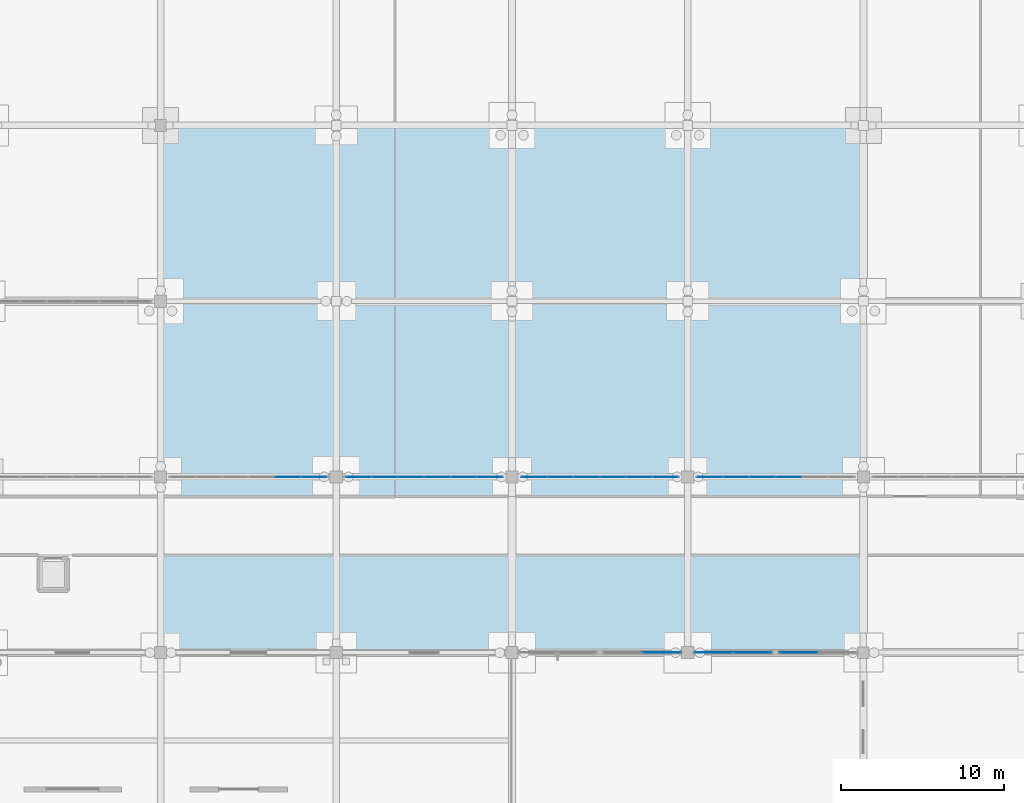
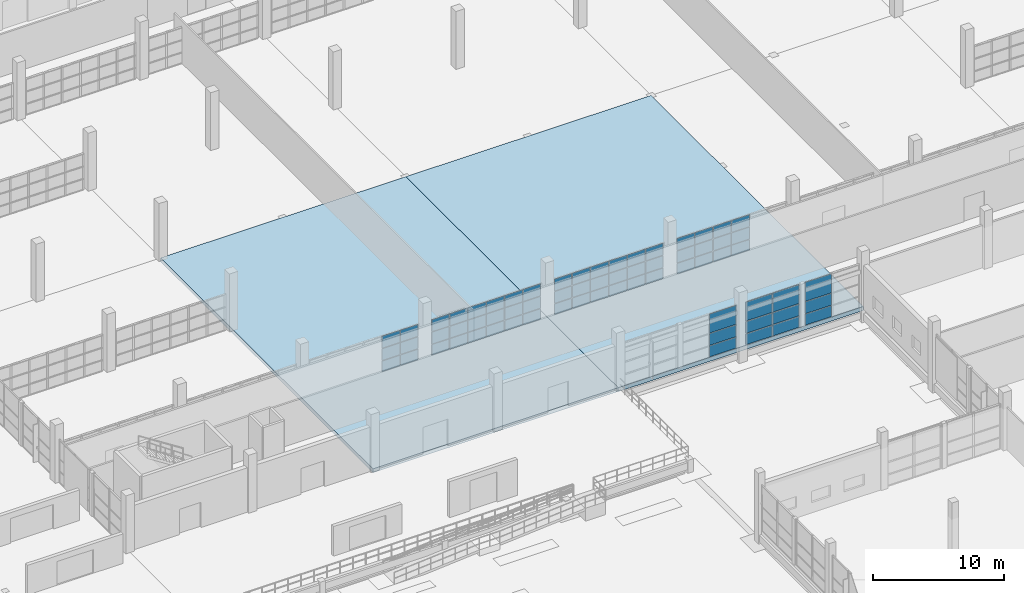
# One storey, part 86 of 138: 66 plates, 2 slabs, 7 elements without a shape of their own.
"""IFC4 building model written with IfcOpenShell, lengths in metres."""

from ifc_helpers import new_model, si_unit, direction, frame, origin, origin_2d, place, context, subcontext, project, spatial, polyline, rectangle, outline, extrude, material, layer, layer_set, type_object, element, aggregate, save


model = new_model("IFC4")

# Units and contexts
model_context = context("Model", 3, precision=1e-05, world=origin(), true_north=direction((0.0, 1.0)))
body_context = subcontext(model_context, "Body", "Model", "MODEL_VIEW")
ifc_project = project(units=[si_unit("LENGTHUNIT", "METRE"), si_unit("AREAUNIT", "SQUARE_METRE"), si_unit("VOLUMEUNIT", "CUBIC_METRE"), si_unit("PLANEANGLEUNIT", "RADIAN"), si_unit("MASSUNIT", "GRAM", prefix="KILO")], contexts=[model_context])

# Site, building, storey
site_placement = place(None, origin())
site = spatial("IfcSite", under=ifc_project, at=site_placement, CompositionType="ELEMENT")
building_placement = place(site_placement, origin())
building = spatial("IfcBuilding", under=site, at=building_placement, Name="Zwinboog Wholesale Market", CompositionType="ELEMENT")
storey_placement = place(building_placement, origin())
storey = spatial("IfcBuildingStorey", under=building, at=storey_placement, Name="L00", CompositionType="ELEMENT", Elevation=0.0)

# Slabs
ifc_material_1 = material(Name="Precast concrete C45/55", Category="concrete")
ifc_layer_1 = layer(ifc_material_1, 0.35595703125)
ifc_layer_set_1 = layer_set([ifc_layer_1], Name="Precast concrete C45/55")
slab_type_1 = type_object("IfcSlabType", Name="SLT-BS-320", PredefinedType="BASESLAB", material=ifc_layer_set_1)
slab_1_placement = place(storey_placement, frame((0.0, 0.0, -0.35595703125)))
element("IfcSlab", 1, at=slab_1_placement, inside=storey, type_object=slab_type_1, Name="SB-356 (SLB-L00-008)", PredefinedType="BASESLAB", context=body_context, shape_type="SweptSolid", body=[
    extrude(outline(polyline([(86.39990234375, 43.199951171875), (108.0, 43.199951171875), (108.0, 75.60009765625), (86.39990234375, 75.60009765625), (86.39990234375, 43.199951171875)])), origin(), (0.0, 0.0, 1.0), 0.35595703125),
])
ifc_layer_2 = layer(ifc_material_1, 0.3798828125)
ifc_layer_set_2 = layer_set([ifc_layer_2], Name="Precast concrete C45/55")
slab_type_2 = type_object("IfcSlabType", Name="SLT-BS-380", PredefinedType="BASESLAB", material=ifc_layer_set_2)
slab_2_placement = place(storey_placement, frame((0.0, 0.0, -0.3798828125)))
element("IfcSlab", 2, at=slab_2_placement, inside=storey, type_object=slab_type_2, Name="SB-380 (SLB-L00-010)", PredefinedType="BASESLAB", context=body_context, shape_type="SweptSolid", body=[
    extrude(outline(polyline([(108.0, 43.199951171875), (129.60009765625, 43.199951171875), (129.60009765625, 75.60009765625), (108.0, 75.60009765625), (108.0, 43.199951171875)])), origin(), (0.0, 0.0, 1.0), 0.3798828125),
])

# Curtain wall, plates
ifc_material_2 = material(Name="Aluminium thermally broken curtain wall", Category="aluminium")
curtain_wall_type_1 = type_object("IfcCurtainWallType", Name="CWT-GAL-16", PredefinedType="USERDEFINED", material=ifc_material_2)
curtain_wall_1_placement = place(storey_placement, origin())
curtain_wall_1 = element("IfcCurtainWall", 3, at=curtain_wall_1_placement, inside=storey, type_object=curtain_wall_type_1, Name="CW-04 (CW-L00-040)", ObjectType="UNITIZED_CURTAIN_WALL", PredefinedType="USERDEFINED")
ifc_material_3 = material(Name="Triple solar-control insulated glazing", Category="glass")
ifc_layer_3 = layer(ifc_material_3, 0.0380859375)
ifc_layer_set_3 = layer_set([ifc_layer_3], Name="Triple solar-control insulated glazing")
plate_type_1 = type_object("IfcPlateType", Name="CWP-IGU-38", PredefinedType="CURTAIN_PANEL", material=ifc_layer_set_3)
plate_1_placement = place(storey_placement, frame((117.20751953125, 43.199951171875, 0.06005859375), z_axis=(0.0, 0.0, 1.0), x_axis=(1.0, 0.0, 0.0)))
plate_1 = element("IfcPlate", 4, at=plate_1_placement, type_object=plate_type_1, Name="CW-04 panel 2.1", PredefinedType="CURTAIN_PANEL", context=body_context, shape_type="SweptSolid", body=[
    extrude(rectangle(XDim=2.324951171875, YDim=0.0380859375, at=origin_2d()), origin(), (0.0, 0.0, 1.0), 1.010009765625),
])
plate_2_placement = place(storey_placement, frame((117.20751953125, 43.199951171875, 1.1298828125), z_axis=(0.0, 0.0, 1.0), x_axis=(1.0, 0.0, 0.0)))
plate_2 = element("IfcPlate", 5, at=plate_2_placement, type_object=plate_type_1, Name="CW-04 panel 2.2", PredefinedType="CURTAIN_PANEL", context=body_context, shape_type="SweptSolid", body=[
    extrude(rectangle(XDim=2.324951171875, YDim=0.0380859375, at=origin_2d()), origin(), (0.0, 0.0, 1.0), 1.090087890625),
])
plate_3_placement = place(storey_placement, frame((117.20751953125, 43.199951171875, 2.27978515625), z_axis=(0.0, 0.0, 1.0), x_axis=(1.0, 0.0, 0.0)))
plate_3 = element("IfcPlate", 6, at=plate_3_placement, type_object=plate_type_1, Name="CW-04 panel 2.3", PredefinedType="CURTAIN_PANEL", context=body_context, shape_type="SweptSolid", body=[
    extrude(rectangle(XDim=2.324951171875, YDim=0.0380859375, at=origin_2d()), origin(), (0.0, 0.0, 1.0), 1.758056640625),
])
aggregate(curtain_wall_1, [plate_1, plate_2, plate_3])

curtain_wall_type_2 = type_object("IfcCurtainWallType", Name="CWT-STALL-18", PredefinedType="USERDEFINED", material=ifc_material_2)
curtain_wall_2_placement = place(storey_placement, origin())
curtain_wall_2 = element("IfcCurtainWall", 7, at=curtain_wall_2_placement, inside=storey, type_object=curtain_wall_type_2, Name="CW-01 (CW-L00-043)", ObjectType="STOREFRONT_GLAZING", PredefinedType="USERDEFINED")
plate_4_placement = place(storey_placement, frame((120.393798828125, 43.199951171875, 0.06494140625), z_axis=(0.0, 0.0, 1.0), x_axis=(1.0, 0.0, 0.0)))
plate_4 = element("IfcPlate", 8, at=plate_4_placement, type_object=plate_type_1, Name="CW-01 panel 1.1", PredefinedType="CURTAIN_PANEL", context=body_context, shape_type="SweptSolid", body=[
    extrude(rectangle(XDim=2.3173828125, YDim=0.0380859375, at=origin_2d()), origin(), (0.0, 0.0, 1.0), 1.00244140625),
])
plate_5_placement = place(storey_placement, frame((120.393798828125, 43.199951171875, 1.132568359375), z_axis=(0.0, 0.0, 1.0), x_axis=(1.0, 0.0, 0.0)))
plate_5 = element("IfcPlate", 9, at=plate_5_placement, type_object=plate_type_1, Name="CW-01 panel 1.2", PredefinedType="CURTAIN_PANEL", context=body_context, shape_type="SweptSolid", body=[
    extrude(rectangle(XDim=2.3173828125, YDim=0.0380859375, at=origin_2d()), origin(), (0.0, 0.0, 1.0), 1.0849609375),
])
plate_6_placement = place(storey_placement, frame((120.393798828125, 43.199951171875, 2.282470703125), z_axis=(0.0, 0.0, 1.0), x_axis=(1.0, 0.0, 0.0)))
plate_6 = element("IfcPlate", 10, at=plate_6_placement, type_object=plate_type_1, Name="CW-01 panel 1.3", PredefinedType="CURTAIN_PANEL", context=body_context, shape_type="SweptSolid", body=[
    extrude(rectangle(XDim=2.3173828125, YDim=0.0380859375, at=origin_2d()), origin(), (0.0, 0.0, 1.0), 1.75048828125),
])
plate_7_placement = place(storey_placement, frame((122.7763671875, 43.199951171875, 0.06494140625), z_axis=(0.0, 0.0, 1.0), x_axis=(1.0, 0.0, 0.0)))
plate_7 = element("IfcPlate", 11, at=plate_7_placement, type_object=plate_type_1, Name="CW-01 panel 2.1", PredefinedType="CURTAIN_PANEL", context=body_context, shape_type="SweptSolid", body=[
    extrude(rectangle(XDim=2.3173828125, YDim=0.0380859375, at=origin_2d()), origin(), (0.0, 0.0, 1.0), 1.00244140625),
])
plate_8_placement = place(storey_placement, frame((122.7763671875, 43.199951171875, 1.132568359375), z_axis=(0.0, 0.0, 1.0), x_axis=(1.0, 0.0, 0.0)))
plate_8 = element("IfcPlate", 12, at=plate_8_placement, type_object=plate_type_1, Name="CW-01 panel 2.2", PredefinedType="CURTAIN_PANEL", context=body_context, shape_type="SweptSolid", body=[
    extrude(rectangle(XDim=2.3173828125, YDim=0.0380859375, at=origin_2d()), origin(), (0.0, 0.0, 1.0), 1.0849609375),
])
plate_9_placement = place(storey_placement, frame((122.7763671875, 43.199951171875, 2.282470703125), z_axis=(0.0, 0.0, 1.0), x_axis=(1.0, 0.0, 0.0)))
plate_9 = element("IfcPlate", 13, at=plate_9_placement, type_object=plate_type_1, Name="CW-01 panel 2.3", PredefinedType="CURTAIN_PANEL", context=body_context, shape_type="SweptSolid", body=[
    extrude(rectangle(XDim=2.3173828125, YDim=0.0380859375, at=origin_2d()), origin(), (0.0, 0.0, 1.0), 1.75048828125),
])
aggregate(curtain_wall_2, [plate_4, plate_5, plate_6, plate_7, plate_8, plate_9])

curtain_wall_type_3 = type_object("IfcCurtainWallType", Name="CWT-STALL-20", PredefinedType="USERDEFINED", material=ifc_material_2)
curtain_wall_3_placement = place(storey_placement, origin())
curtain_wall_3 = element("IfcCurtainWall", 14, at=curtain_wall_3_placement, inside=storey, type_object=curtain_wall_type_3, Name="CW-02 (CW-L00-044)", ObjectType="STOREFRONT_GLAZING", PredefinedType="USERDEFINED")
plate_10_placement = place(storey_placement, frame((125.628662109375, 43.199951171875, 0.06005859375), z_axis=(0.0, 0.0, 1.0), x_axis=(1.0, 0.0, 0.0)))
plate_10 = element("IfcPlate", 15, at=plate_10_placement, type_object=plate_type_1, Name="CW-02 panel 1.1", PredefinedType="CURTAIN_PANEL", context=body_context, shape_type="SweptSolid", body=[
    extrude(rectangle(XDim=2.33740234375, YDim=0.0380859375, at=origin_2d()), origin(), (0.0, 0.0, 1.0), 1.010009765625),
])
plate_11_placement = place(storey_placement, frame((125.628662109375, 43.199951171875, 1.1298828125), z_axis=(0.0, 0.0, 1.0), x_axis=(1.0, 0.0, 0.0)))
plate_11 = element("IfcPlate", 16, at=plate_11_placement, type_object=plate_type_1, Name="CW-02 panel 1.2", PredefinedType="CURTAIN_PANEL", context=body_context, shape_type="SweptSolid", body=[
    extrude(rectangle(XDim=2.33740234375, YDim=0.0380859375, at=origin_2d()), origin(), (0.0, 0.0, 1.0), 1.090087890625),
])
plate_12_placement = place(storey_placement, frame((125.628662109375, 43.199951171875, 2.27978515625), z_axis=(0.0, 0.0, 1.0), x_axis=(1.0, 0.0, 0.0)))
plate_12 = element("IfcPlate", 17, at=plate_12_placement, type_object=plate_type_1, Name="CW-02 panel 1.3", PredefinedType="CURTAIN_PANEL", context=body_context, shape_type="SweptSolid", body=[
    extrude(rectangle(XDim=2.33740234375, YDim=0.0380859375, at=origin_2d()), origin(), (0.0, 0.0, 1.0), 1.758056640625),
])
aggregate(curtain_wall_3, [plate_10, plate_11, plate_12])

curtain_wall_type_4 = type_object("IfcCurtainWallType", Name="CWT-INT-STALL", PredefinedType="USERDEFINED", material=ifc_material_2)
curtain_wall_4_placement = place(storey_placement, origin())
curtain_wall_4 = element("IfcCurtainWall", 18, at=curtain_wall_4_placement, inside=storey, type_object=curtain_wall_type_4, Name="CW-07 (CW-STL-183)", ObjectType="STOREFRONT_GLAZING", PredefinedType="USERDEFINED")
ifc_material_4 = material(Name="Tempered laminated market stall glazing", Category="glass")
ifc_layer_4 = layer(ifc_material_4, 0.01611328125)
ifc_layer_set_4 = layer_set([ifc_layer_4], Name="Tempered laminated market stall glazing")
plate_type_2 = type_object("IfcPlateType", Name="CWP-INT-16", PredefinedType="CURTAIN_PANEL", material=ifc_layer_set_4)
plate_13_placement = place(storey_placement, frame((94.22509765625, 54.0, 0.06005859375), z_axis=(0.0, 0.0, 1.0), x_axis=(1.0, 0.0, 0.0)))
plate_13 = element("IfcPlate", 19, at=plate_13_placement, type_object=plate_type_2, Name="CW-07 panel 5.1", PredefinedType="CURTAIN_PANEL", context=body_context, shape_type="SweptSolid", body=[
    extrude(rectangle(XDim=1.556640625, YDim=0.01611328125, at=origin_2d()), origin(), (0.0, 0.0, 1.0), 0.9599609375),
])
plate_14_placement = place(storey_placement, frame((94.22509765625, 54.0, 1.080078125), z_axis=(0.0, 0.0, 1.0), x_axis=(1.0, 0.0, 0.0)))
plate_14 = element("IfcPlate", 20, at=plate_14_placement, type_object=plate_type_2, Name="CW-07 panel 5.2", PredefinedType="CURTAIN_PANEL", context=body_context, shape_type="SweptSolid", body=[
    extrude(rectangle(XDim=1.556640625, YDim=0.01611328125, at=origin_2d()), origin(), (0.0, 0.0, 1.0), 1.090087890625),
])
plate_15_placement = place(storey_placement, frame((94.22509765625, 54.0, 2.22998046875), z_axis=(0.0, 0.0, 1.0), x_axis=(1.0, 0.0, 0.0)))
plate_15 = element("IfcPlate", 21, at=plate_15_placement, type_object=plate_type_2, Name="CW-07 panel 5.3", PredefinedType="CURTAIN_PANEL", context=body_context, shape_type="SweptSolid", body=[
    extrude(rectangle(XDim=1.556640625, YDim=0.01611328125, at=origin_2d()), origin(), (0.0, 0.0, 1.0), 1.110107421875),
])
plate_16_placement = place(storey_placement, frame((95.82666015625, 54.0, 0.06005859375), z_axis=(0.0, 0.0, 1.0), x_axis=(1.0, 0.0, 0.0)))
plate_16 = element("IfcPlate", 22, at=plate_16_placement, type_object=plate_type_2, Name="CW-07 panel 6.1", PredefinedType="CURTAIN_PANEL", context=body_context, shape_type="SweptSolid", body=[
    extrude(rectangle(XDim=1.526611328125, YDim=0.01611328125, at=origin_2d()), origin(), (0.0, 0.0, 1.0), 0.9599609375),
])
plate_17_placement = place(storey_placement, frame((95.82666015625, 54.0, 1.080078125), z_axis=(0.0, 0.0, 1.0), x_axis=(1.0, 0.0, 0.0)))
plate_17 = element("IfcPlate", 23, at=plate_17_placement, type_object=plate_type_2, Name="CW-07 panel 6.2", PredefinedType="CURTAIN_PANEL", context=body_context, shape_type="SweptSolid", body=[
    extrude(rectangle(XDim=1.526611328125, YDim=0.01611328125, at=origin_2d()), origin(), (0.0, 0.0, 1.0), 1.090087890625),
])
plate_18_placement = place(storey_placement, frame((95.82666015625, 54.0, 2.22998046875), z_axis=(0.0, 0.0, 1.0), x_axis=(1.0, 0.0, 0.0)))
plate_18 = element("IfcPlate", 24, at=plate_18_placement, type_object=plate_type_2, Name="CW-07 panel 6.3", PredefinedType="CURTAIN_PANEL", context=body_context, shape_type="SweptSolid", body=[
    extrude(rectangle(XDim=1.526611328125, YDim=0.01611328125, at=origin_2d()), origin(), (0.0, 0.0, 1.0), 1.110107421875),
])
aggregate(curtain_wall_4, [plate_13, plate_14, plate_15, plate_16, plate_17, plate_18])

curtain_wall_5_placement = place(storey_placement, origin())
curtain_wall_5 = element("IfcCurtainWall", 25, at=curtain_wall_5_placement, inside=storey, type_object=curtain_wall_type_4, Name="CW-07 (CW-STL-184)", ObjectType="STOREFRONT_GLAZING", PredefinedType="USERDEFINED")
plate_19_placement = place(storey_placement, frame((98.5732421875, 54.0, 0.06005859375), z_axis=(0.0, 0.0, 1.0), x_axis=(1.0, 0.0, 0.0)))
plate_19 = element("IfcPlate", 26, at=plate_19_placement, type_object=plate_type_2, Name="CW-07 panel 1.1", PredefinedType="CURTAIN_PANEL", context=body_context, shape_type="SweptSolid", body=[
    extrude(rectangle(XDim=1.526611328125, YDim=0.01611328125, at=origin_2d()), origin(), (0.0, 0.0, 1.0), 0.9599609375),
])
plate_20_placement = place(storey_placement, frame((98.5732421875, 54.0, 1.080078125), z_axis=(0.0, 0.0, 1.0), x_axis=(1.0, 0.0, 0.0)))
plate_20 = element("IfcPlate", 27, at=plate_20_placement, type_object=plate_type_2, Name="CW-07 panel 1.2", PredefinedType="CURTAIN_PANEL", context=body_context, shape_type="SweptSolid", body=[
    extrude(rectangle(XDim=1.526611328125, YDim=0.01611328125, at=origin_2d()), origin(), (0.0, 0.0, 1.0), 1.090087890625),
])
plate_21_placement = place(storey_placement, frame((98.5732421875, 54.0, 2.22998046875), z_axis=(0.0, 0.0, 1.0), x_axis=(1.0, 0.0, 0.0)))
plate_21 = element("IfcPlate", 28, at=plate_21_placement, type_object=plate_type_2, Name="CW-07 panel 1.3", PredefinedType="CURTAIN_PANEL", context=body_context, shape_type="SweptSolid", body=[
    extrude(rectangle(XDim=1.526611328125, YDim=0.01611328125, at=origin_2d()), origin(), (0.0, 0.0, 1.0), 1.110107421875),
])
plate_22_placement = place(storey_placement, frame((100.175048828125, 54.0, 0.06005859375), z_axis=(0.0, 0.0, 1.0), x_axis=(1.0, 0.0, 0.0)))
plate_22 = element("IfcPlate", 29, at=plate_22_placement, type_object=plate_type_2, Name="CW-07 panel 2.1", PredefinedType="CURTAIN_PANEL", context=body_context, shape_type="SweptSolid", body=[
    extrude(rectangle(XDim=1.556640625, YDim=0.01611328125, at=origin_2d()), origin(), (0.0, 0.0, 1.0), 0.9599609375),
])
plate_23_placement = place(storey_placement, frame((100.175048828125, 54.0, 1.080078125), z_axis=(0.0, 0.0, 1.0), x_axis=(1.0, 0.0, 0.0)))
plate_23 = element("IfcPlate", 30, at=plate_23_placement, type_object=plate_type_2, Name="CW-07 panel 2.2", PredefinedType="CURTAIN_PANEL", context=body_context, shape_type="SweptSolid", body=[
    extrude(rectangle(XDim=1.556640625, YDim=0.01611328125, at=origin_2d()), origin(), (0.0, 0.0, 1.0), 1.090087890625),
])
plate_24_placement = place(storey_placement, frame((100.175048828125, 54.0, 2.22998046875), z_axis=(0.0, 0.0, 1.0), x_axis=(1.0, 0.0, 0.0)))
plate_24 = element("IfcPlate", 31, at=plate_24_placement, type_object=plate_type_2, Name="CW-07 panel 2.3", PredefinedType="CURTAIN_PANEL", context=body_context, shape_type="SweptSolid", body=[
    extrude(rectangle(XDim=1.556640625, YDim=0.01611328125, at=origin_2d()), origin(), (0.0, 0.0, 1.0), 1.110107421875),
])
plate_25_placement = place(storey_placement, frame((101.791748046875, 54.0, 0.06005859375), z_axis=(0.0, 0.0, 1.0), x_axis=(1.0, 0.0, 0.0)))
plate_25 = element("IfcPlate", 32, at=plate_25_placement, type_object=plate_type_2, Name="CW-07 panel 3.1", PredefinedType="CURTAIN_PANEL", context=body_context, shape_type="SweptSolid", body=[
    extrude(rectangle(XDim=1.556640625, YDim=0.01611328125, at=origin_2d()), origin(), (0.0, 0.0, 1.0), 0.9599609375),
])
plate_26_placement = place(storey_placement, frame((101.791748046875, 54.0, 1.080078125), z_axis=(0.0, 0.0, 1.0), x_axis=(1.0, 0.0, 0.0)))
plate_26 = element("IfcPlate", 33, at=plate_26_placement, type_object=plate_type_2, Name="CW-07 panel 3.2", PredefinedType="CURTAIN_PANEL", context=body_context, shape_type="SweptSolid", body=[
    extrude(rectangle(XDim=1.556640625, YDim=0.01611328125, at=origin_2d()), origin(), (0.0, 0.0, 1.0), 1.090087890625),
])
plate_27_placement = place(storey_placement, frame((101.791748046875, 54.0, 2.22998046875), z_axis=(0.0, 0.0, 1.0), x_axis=(1.0, 0.0, 0.0)))
plate_27 = element("IfcPlate", 34, at=plate_27_placement, type_object=plate_type_2, Name="CW-07 panel 3.3", PredefinedType="CURTAIN_PANEL", context=body_context, shape_type="SweptSolid", body=[
    extrude(rectangle(XDim=1.556640625, YDim=0.01611328125, at=origin_2d()), origin(), (0.0, 0.0, 1.0), 1.110107421875),
])
plate_28_placement = place(storey_placement, frame((103.408447265625, 54.0, 0.06005859375), z_axis=(0.0, 0.0, 1.0), x_axis=(1.0, 0.0, 0.0)))
plate_28 = element("IfcPlate", 35, at=plate_28_placement, type_object=plate_type_2, Name="CW-07 panel 4.1", PredefinedType="CURTAIN_PANEL", context=body_context, shape_type="SweptSolid", body=[
    extrude(rectangle(XDim=1.556640625, YDim=0.01611328125, at=origin_2d()), origin(), (0.0, 0.0, 1.0), 0.9599609375),
])
plate_29_placement = place(storey_placement, frame((103.408447265625, 54.0, 1.080078125), z_axis=(0.0, 0.0, 1.0), x_axis=(1.0, 0.0, 0.0)))
plate_29 = element("IfcPlate", 36, at=plate_29_placement, type_object=plate_type_2, Name="CW-07 panel 4.2", PredefinedType="CURTAIN_PANEL", context=body_context, shape_type="SweptSolid", body=[
    extrude(rectangle(XDim=1.556640625, YDim=0.01611328125, at=origin_2d()), origin(), (0.0, 0.0, 1.0), 1.090087890625),
])
plate_30_placement = place(storey_placement, frame((103.408447265625, 54.0, 2.22998046875), z_axis=(0.0, 0.0, 1.0), x_axis=(1.0, 0.0, 0.0)))
plate_30 = element("IfcPlate", 37, at=plate_30_placement, type_object=plate_type_2, Name="CW-07 panel 4.3", PredefinedType="CURTAIN_PANEL", context=body_context, shape_type="SweptSolid", body=[
    extrude(rectangle(XDim=1.556640625, YDim=0.01611328125, at=origin_2d()), origin(), (0.0, 0.0, 1.0), 1.110107421875),
])
plate_31_placement = place(storey_placement, frame((105.02490234375, 54.0, 0.06005859375), z_axis=(0.0, 0.0, 1.0), x_axis=(1.0, 0.0, 0.0)))
plate_31 = element("IfcPlate", 38, at=plate_31_placement, type_object=plate_type_2, Name="CW-07 panel 5.1", PredefinedType="CURTAIN_PANEL", context=body_context, shape_type="SweptSolid", body=[
    extrude(rectangle(XDim=1.556640625, YDim=0.01611328125, at=origin_2d()), origin(), (0.0, 0.0, 1.0), 0.9599609375),
])
plate_32_placement = place(storey_placement, frame((105.02490234375, 54.0, 1.080078125), z_axis=(0.0, 0.0, 1.0), x_axis=(1.0, 0.0, 0.0)))
plate_32 = element("IfcPlate", 39, at=plate_32_placement, type_object=plate_type_2, Name="CW-07 panel 5.2", PredefinedType="CURTAIN_PANEL", context=body_context, shape_type="SweptSolid", body=[
    extrude(rectangle(XDim=1.556640625, YDim=0.01611328125, at=origin_2d()), origin(), (0.0, 0.0, 1.0), 1.090087890625),
])
plate_33_placement = place(storey_placement, frame((105.02490234375, 54.0, 2.22998046875), z_axis=(0.0, 0.0, 1.0), x_axis=(1.0, 0.0, 0.0)))
plate_33 = element("IfcPlate", 40, at=plate_33_placement, type_object=plate_type_2, Name="CW-07 panel 5.3", PredefinedType="CURTAIN_PANEL", context=body_context, shape_type="SweptSolid", body=[
    extrude(rectangle(XDim=1.556640625, YDim=0.01611328125, at=origin_2d()), origin(), (0.0, 0.0, 1.0), 1.110107421875),
])
plate_34_placement = place(storey_placement, frame((106.626708984375, 54.0, 0.06005859375), z_axis=(0.0, 0.0, 1.0), x_axis=(1.0, 0.0, 0.0)))
plate_34 = element("IfcPlate", 41, at=plate_34_placement, type_object=plate_type_2, Name="CW-07 panel 6.1", PredefinedType="CURTAIN_PANEL", context=body_context, shape_type="SweptSolid", body=[
    extrude(rectangle(XDim=1.526611328125, YDim=0.01611328125, at=origin_2d()), origin(), (0.0, 0.0, 1.0), 0.9599609375),
])
plate_35_placement = place(storey_placement, frame((106.626708984375, 54.0, 1.080078125), z_axis=(0.0, 0.0, 1.0), x_axis=(1.0, 0.0, 0.0)))
plate_35 = element("IfcPlate", 42, at=plate_35_placement, type_object=plate_type_2, Name="CW-07 panel 6.2", PredefinedType="CURTAIN_PANEL", context=body_context, shape_type="SweptSolid", body=[
    extrude(rectangle(XDim=1.526611328125, YDim=0.01611328125, at=origin_2d()), origin(), (0.0, 0.0, 1.0), 1.090087890625),
])
plate_36_placement = place(storey_placement, frame((106.626708984375, 54.0, 2.22998046875), z_axis=(0.0, 0.0, 1.0), x_axis=(1.0, 0.0, 0.0)))
plate_36 = element("IfcPlate", 43, at=plate_36_placement, type_object=plate_type_2, Name="CW-07 panel 6.3", PredefinedType="CURTAIN_PANEL", context=body_context, shape_type="SweptSolid", body=[
    extrude(rectangle(XDim=1.526611328125, YDim=0.01611328125, at=origin_2d()), origin(), (0.0, 0.0, 1.0), 1.110107421875),
])
aggregate(curtain_wall_5, [plate_19, plate_20, plate_21, plate_22, plate_23, plate_24, plate_25, plate_26, plate_27, plate_28, plate_29, plate_30, plate_31, plate_32, plate_33, plate_34, plate_35, plate_36])

curtain_wall_6_placement = place(storey_placement, origin())
curtain_wall_6 = element("IfcCurtainWall", 44, at=curtain_wall_6_placement, inside=storey, type_object=curtain_wall_type_4, Name="CW-07 (CW-STL-185)", ObjectType="STOREFRONT_GLAZING", PredefinedType="USERDEFINED")
plate_37_placement = place(storey_placement, frame((109.373291015625, 54.0, 0.06005859375), z_axis=(0.0, 0.0, 1.0), x_axis=(1.0, 0.0, 0.0)))
plate_37 = element("IfcPlate", 45, at=plate_37_placement, type_object=plate_type_2, Name="CW-07 panel 1.1", PredefinedType="CURTAIN_PANEL", context=body_context, shape_type="SweptSolid", body=[
    extrude(rectangle(XDim=1.526611328125, YDim=0.01611328125, at=origin_2d()), origin(), (0.0, 0.0, 1.0), 0.9599609375),
])
plate_38_placement = place(storey_placement, frame((109.373291015625, 54.0, 1.080078125), z_axis=(0.0, 0.0, 1.0), x_axis=(1.0, 0.0, 0.0)))
plate_38 = element("IfcPlate", 46, at=plate_38_placement, type_object=plate_type_2, Name="CW-07 panel 1.2", PredefinedType="CURTAIN_PANEL", context=body_context, shape_type="SweptSolid", body=[
    extrude(rectangle(XDim=1.526611328125, YDim=0.01611328125, at=origin_2d()), origin(), (0.0, 0.0, 1.0), 1.090087890625),
])
plate_39_placement = place(storey_placement, frame((109.373291015625, 54.0, 2.22998046875), z_axis=(0.0, 0.0, 1.0), x_axis=(1.0, 0.0, 0.0)))
plate_39 = element("IfcPlate", 47, at=plate_39_placement, type_object=plate_type_2, Name="CW-07 panel 1.3", PredefinedType="CURTAIN_PANEL", context=body_context, shape_type="SweptSolid", body=[
    extrude(rectangle(XDim=1.526611328125, YDim=0.01611328125, at=origin_2d()), origin(), (0.0, 0.0, 1.0), 1.110107421875),
])
plate_40_placement = place(storey_placement, frame((110.97509765625, 54.0, 0.06005859375), z_axis=(0.0, 0.0, 1.0), x_axis=(1.0, 0.0, 0.0)))
plate_40 = element("IfcPlate", 48, at=plate_40_placement, type_object=plate_type_2, Name="CW-07 panel 2.1", PredefinedType="CURTAIN_PANEL", context=body_context, shape_type="SweptSolid", body=[
    extrude(rectangle(XDim=1.556640625, YDim=0.01611328125, at=origin_2d()), origin(), (0.0, 0.0, 1.0), 0.9599609375),
])
plate_41_placement = place(storey_placement, frame((110.97509765625, 54.0, 1.080078125), z_axis=(0.0, 0.0, 1.0), x_axis=(1.0, 0.0, 0.0)))
plate_41 = element("IfcPlate", 49, at=plate_41_placement, type_object=plate_type_2, Name="CW-07 panel 2.2", PredefinedType="CURTAIN_PANEL", context=body_context, shape_type="SweptSolid", body=[
    extrude(rectangle(XDim=1.556640625, YDim=0.01611328125, at=origin_2d()), origin(), (0.0, 0.0, 1.0), 1.090087890625),
])
plate_42_placement = place(storey_placement, frame((110.97509765625, 54.0, 2.22998046875), z_axis=(0.0, 0.0, 1.0), x_axis=(1.0, 0.0, 0.0)))
plate_42 = element("IfcPlate", 50, at=plate_42_placement, type_object=plate_type_2, Name="CW-07 panel 2.3", PredefinedType="CURTAIN_PANEL", context=body_context, shape_type="SweptSolid", body=[
    extrude(rectangle(XDim=1.556640625, YDim=0.01611328125, at=origin_2d()), origin(), (0.0, 0.0, 1.0), 1.110107421875),
])
plate_43_placement = place(storey_placement, frame((112.591552734375, 54.0, 0.06005859375), z_axis=(0.0, 0.0, 1.0), x_axis=(1.0, 0.0, 0.0)))
plate_43 = element("IfcPlate", 51, at=plate_43_placement, type_object=plate_type_2, Name="CW-07 panel 3.1", PredefinedType="CURTAIN_PANEL", context=body_context, shape_type="SweptSolid", body=[
    extrude(rectangle(XDim=1.556640625, YDim=0.01611328125, at=origin_2d()), origin(), (0.0, 0.0, 1.0), 0.9599609375),
])
plate_44_placement = place(storey_placement, frame((112.591552734375, 54.0, 1.080078125), z_axis=(0.0, 0.0, 1.0), x_axis=(1.0, 0.0, 0.0)))
plate_44 = element("IfcPlate", 52, at=plate_44_placement, type_object=plate_type_2, Name="CW-07 panel 3.2", PredefinedType="CURTAIN_PANEL", context=body_context, shape_type="SweptSolid", body=[
    extrude(rectangle(XDim=1.556640625, YDim=0.01611328125, at=origin_2d()), origin(), (0.0, 0.0, 1.0), 1.090087890625),
])
plate_45_placement = place(storey_placement, frame((112.591552734375, 54.0, 2.22998046875), z_axis=(0.0, 0.0, 1.0), x_axis=(1.0, 0.0, 0.0)))
plate_45 = element("IfcPlate", 53, at=plate_45_placement, type_object=plate_type_2, Name="CW-07 panel 3.3", PredefinedType="CURTAIN_PANEL", context=body_context, shape_type="SweptSolid", body=[
    extrude(rectangle(XDim=1.556640625, YDim=0.01611328125, at=origin_2d()), origin(), (0.0, 0.0, 1.0), 1.110107421875),
])
plate_46_placement = place(storey_placement, frame((114.208251953125, 54.0, 0.06005859375), z_axis=(0.0, 0.0, 1.0), x_axis=(1.0, 0.0, 0.0)))
plate_46 = element("IfcPlate", 54, at=plate_46_placement, type_object=plate_type_2, Name="CW-07 panel 4.1", PredefinedType="CURTAIN_PANEL", context=body_context, shape_type="SweptSolid", body=[
    extrude(rectangle(XDim=1.556640625, YDim=0.01611328125, at=origin_2d()), origin(), (0.0, 0.0, 1.0), 0.9599609375),
])
plate_47_placement = place(storey_placement, frame((114.208251953125, 54.0, 1.080078125), z_axis=(0.0, 0.0, 1.0), x_axis=(1.0, 0.0, 0.0)))
plate_47 = element("IfcPlate", 55, at=plate_47_placement, type_object=plate_type_2, Name="CW-07 panel 4.2", PredefinedType="CURTAIN_PANEL", context=body_context, shape_type="SweptSolid", body=[
    extrude(rectangle(XDim=1.556640625, YDim=0.01611328125, at=origin_2d()), origin(), (0.0, 0.0, 1.0), 1.090087890625),
])
plate_48_placement = place(storey_placement, frame((114.208251953125, 54.0, 2.22998046875), z_axis=(0.0, 0.0, 1.0), x_axis=(1.0, 0.0, 0.0)))
plate_48 = element("IfcPlate", 56, at=plate_48_placement, type_object=plate_type_2, Name="CW-07 panel 4.3", PredefinedType="CURTAIN_PANEL", context=body_context, shape_type="SweptSolid", body=[
    extrude(rectangle(XDim=1.556640625, YDim=0.01611328125, at=origin_2d()), origin(), (0.0, 0.0, 1.0), 1.110107421875),
])
plate_49_placement = place(storey_placement, frame((115.824951171875, 54.0, 0.06005859375), z_axis=(0.0, 0.0, 1.0), x_axis=(1.0, 0.0, 0.0)))
plate_49 = element("IfcPlate", 57, at=plate_49_placement, type_object=plate_type_2, Name="CW-07 panel 5.1", PredefinedType="CURTAIN_PANEL", context=body_context, shape_type="SweptSolid", body=[
    extrude(rectangle(XDim=1.556640625, YDim=0.01611328125, at=origin_2d()), origin(), (0.0, 0.0, 1.0), 0.9599609375),
])
plate_50_placement = place(storey_placement, frame((115.824951171875, 54.0, 1.080078125), z_axis=(0.0, 0.0, 1.0), x_axis=(1.0, 0.0, 0.0)))
plate_50 = element("IfcPlate", 58, at=plate_50_placement, type_object=plate_type_2, Name="CW-07 panel 5.2", PredefinedType="CURTAIN_PANEL", context=body_context, shape_type="SweptSolid", body=[
    extrude(rectangle(XDim=1.556640625, YDim=0.01611328125, at=origin_2d()), origin(), (0.0, 0.0, 1.0), 1.090087890625),
])
plate_51_placement = place(storey_placement, frame((115.824951171875, 54.0, 2.22998046875), z_axis=(0.0, 0.0, 1.0), x_axis=(1.0, 0.0, 0.0)))
plate_51 = element("IfcPlate", 59, at=plate_51_placement, type_object=plate_type_2, Name="CW-07 panel 5.3", PredefinedType="CURTAIN_PANEL", context=body_context, shape_type="SweptSolid", body=[
    extrude(rectangle(XDim=1.556640625, YDim=0.01611328125, at=origin_2d()), origin(), (0.0, 0.0, 1.0), 1.110107421875),
])
plate_52_placement = place(storey_placement, frame((117.4267578125, 54.0, 0.06005859375), z_axis=(0.0, 0.0, 1.0), x_axis=(1.0, 0.0, 0.0)))
plate_52 = element("IfcPlate", 60, at=plate_52_placement, type_object=plate_type_2, Name="CW-07 panel 6.1", PredefinedType="CURTAIN_PANEL", context=body_context, shape_type="SweptSolid", body=[
    extrude(rectangle(XDim=1.526611328125, YDim=0.01611328125, at=origin_2d()), origin(), (0.0, 0.0, 1.0), 0.9599609375),
])
plate_53_placement = place(storey_placement, frame((117.4267578125, 54.0, 1.080078125), z_axis=(0.0, 0.0, 1.0), x_axis=(1.0, 0.0, 0.0)))
plate_53 = element("IfcPlate", 61, at=plate_53_placement, type_object=plate_type_2, Name="CW-07 panel 6.2", PredefinedType="CURTAIN_PANEL", context=body_context, shape_type="SweptSolid", body=[
    extrude(rectangle(XDim=1.526611328125, YDim=0.01611328125, at=origin_2d()), origin(), (0.0, 0.0, 1.0), 1.090087890625),
])
plate_54_placement = place(storey_placement, frame((117.4267578125, 54.0, 2.22998046875), z_axis=(0.0, 0.0, 1.0), x_axis=(1.0, 0.0, 0.0)))
plate_54 = element("IfcPlate", 62, at=plate_54_placement, type_object=plate_type_2, Name="CW-07 panel 6.3", PredefinedType="CURTAIN_PANEL", context=body_context, shape_type="SweptSolid", body=[
    extrude(rectangle(XDim=1.526611328125, YDim=0.01611328125, at=origin_2d()), origin(), (0.0, 0.0, 1.0), 1.110107421875),
])
aggregate(curtain_wall_6, [plate_37, plate_38, plate_39, plate_40, plate_41, plate_42, plate_43, plate_44, plate_45, plate_46, plate_47, plate_48, plate_49, plate_50, plate_51, plate_52, plate_53, plate_54])

curtain_wall_7_placement = place(storey_placement, origin())
curtain_wall_7 = element("IfcCurtainWall", 63, at=curtain_wall_7_placement, inside=storey, type_object=curtain_wall_type_4, Name="CW-07 (CW-STL-186)", ObjectType="STOREFRONT_GLAZING", PredefinedType="USERDEFINED")
plate_55_placement = place(storey_placement, frame((120.17333984375, 54.0, 0.06005859375), z_axis=(0.0, 0.0, 1.0), x_axis=(1.0, 0.0, 0.0)))
plate_55 = element("IfcPlate", 64, at=plate_55_placement, type_object=plate_type_2, Name="CW-07 panel 1.1", PredefinedType="CURTAIN_PANEL", context=body_context, shape_type="SweptSolid", body=[
    extrude(rectangle(XDim=1.526611328125, YDim=0.01611328125, at=origin_2d()), origin(), (0.0, 0.0, 1.0), 0.9599609375),
])
plate_56_placement = place(storey_placement, frame((120.17333984375, 54.0, 1.080078125), z_axis=(0.0, 0.0, 1.0), x_axis=(1.0, 0.0, 0.0)))
plate_56 = element("IfcPlate", 65, at=plate_56_placement, type_object=plate_type_2, Name="CW-07 panel 1.2", PredefinedType="CURTAIN_PANEL", context=body_context, shape_type="SweptSolid", body=[
    extrude(rectangle(XDim=1.526611328125, YDim=0.01611328125, at=origin_2d()), origin(), (0.0, 0.0, 1.0), 1.090087890625),
])
plate_57_placement = place(storey_placement, frame((120.17333984375, 54.0, 2.22998046875), z_axis=(0.0, 0.0, 1.0), x_axis=(1.0, 0.0, 0.0)))
plate_57 = element("IfcPlate", 66, at=plate_57_placement, type_object=plate_type_2, Name="CW-07 panel 1.3", PredefinedType="CURTAIN_PANEL", context=body_context, shape_type="SweptSolid", body=[
    extrude(rectangle(XDim=1.526611328125, YDim=0.01611328125, at=origin_2d()), origin(), (0.0, 0.0, 1.0), 1.110107421875),
])
plate_58_placement = place(storey_placement, frame((121.77490234375, 54.0, 0.06005859375), z_axis=(0.0, 0.0, 1.0), x_axis=(1.0, 0.0, 0.0)))
plate_58 = element("IfcPlate", 67, at=plate_58_placement, type_object=plate_type_2, Name="CW-07 panel 2.1", PredefinedType="CURTAIN_PANEL", context=body_context, shape_type="SweptSolid", body=[
    extrude(rectangle(XDim=1.556640625, YDim=0.01611328125, at=origin_2d()), origin(), (0.0, 0.0, 1.0), 0.9599609375),
])
plate_59_placement = place(storey_placement, frame((121.77490234375, 54.0, 1.080078125), z_axis=(0.0, 0.0, 1.0), x_axis=(1.0, 0.0, 0.0)))
plate_59 = element("IfcPlate", 68, at=plate_59_placement, type_object=plate_type_2, Name="CW-07 panel 2.2", PredefinedType="CURTAIN_PANEL", context=body_context, shape_type="SweptSolid", body=[
    extrude(rectangle(XDim=1.556640625, YDim=0.01611328125, at=origin_2d()), origin(), (0.0, 0.0, 1.0), 1.090087890625),
])
plate_60_placement = place(storey_placement, frame((121.77490234375, 54.0, 2.22998046875), z_axis=(0.0, 0.0, 1.0), x_axis=(1.0, 0.0, 0.0)))
plate_60 = element("IfcPlate", 69, at=plate_60_placement, type_object=plate_type_2, Name="CW-07 panel 2.3", PredefinedType="CURTAIN_PANEL", context=body_context, shape_type="SweptSolid", body=[
    extrude(rectangle(XDim=1.556640625, YDim=0.01611328125, at=origin_2d()), origin(), (0.0, 0.0, 1.0), 1.110107421875),
])
plate_61_placement = place(storey_placement, frame((123.3916015625, 54.0, 0.06005859375), z_axis=(0.0, 0.0, 1.0), x_axis=(1.0, 0.0, 0.0)))
plate_61 = element("IfcPlate", 70, at=plate_61_placement, type_object=plate_type_2, Name="CW-07 panel 3.1", PredefinedType="CURTAIN_PANEL", context=body_context, shape_type="SweptSolid", body=[
    extrude(rectangle(XDim=1.556640625, YDim=0.01611328125, at=origin_2d()), origin(), (0.0, 0.0, 1.0), 0.9599609375),
])
plate_62_placement = place(storey_placement, frame((123.3916015625, 54.0, 1.080078125), z_axis=(0.0, 0.0, 1.0), x_axis=(1.0, 0.0, 0.0)))
plate_62 = element("IfcPlate", 71, at=plate_62_placement, type_object=plate_type_2, Name="CW-07 panel 3.2", PredefinedType="CURTAIN_PANEL", context=body_context, shape_type="SweptSolid", body=[
    extrude(rectangle(XDim=1.556640625, YDim=0.01611328125, at=origin_2d()), origin(), (0.0, 0.0, 1.0), 1.090087890625),
])
plate_63_placement = place(storey_placement, frame((123.3916015625, 54.0, 2.22998046875), z_axis=(0.0, 0.0, 1.0), x_axis=(1.0, 0.0, 0.0)))
plate_63 = element("IfcPlate", 72, at=plate_63_placement, type_object=plate_type_2, Name="CW-07 panel 3.3", PredefinedType="CURTAIN_PANEL", context=body_context, shape_type="SweptSolid", body=[
    extrude(rectangle(XDim=1.556640625, YDim=0.01611328125, at=origin_2d()), origin(), (0.0, 0.0, 1.0), 1.110107421875),
])
plate_64_placement = place(storey_placement, frame((125.00830078125, 54.0, 0.06005859375), z_axis=(0.0, 0.0, 1.0), x_axis=(1.0, 0.0, 0.0)))
plate_64 = element("IfcPlate", 73, at=plate_64_placement, type_object=plate_type_2, Name="CW-07 panel 4.1", PredefinedType="CURTAIN_PANEL", context=body_context, shape_type="SweptSolid", body=[
    extrude(rectangle(XDim=1.556640625, YDim=0.01611328125, at=origin_2d()), origin(), (0.0, 0.0, 1.0), 0.9599609375),
])
plate_65_placement = place(storey_placement, frame((125.00830078125, 54.0, 1.080078125), z_axis=(0.0, 0.0, 1.0), x_axis=(1.0, 0.0, 0.0)))
plate_65 = element("IfcPlate", 74, at=plate_65_placement, type_object=plate_type_2, Name="CW-07 panel 4.2", PredefinedType="CURTAIN_PANEL", context=body_context, shape_type="SweptSolid", body=[
    extrude(rectangle(XDim=1.556640625, YDim=0.01611328125, at=origin_2d()), origin(), (0.0, 0.0, 1.0), 1.090087890625),
])
plate_66_placement = place(storey_placement, frame((125.00830078125, 54.0, 2.22998046875), z_axis=(0.0, 0.0, 1.0), x_axis=(1.0, 0.0, 0.0)))
plate_66 = element("IfcPlate", 75, at=plate_66_placement, type_object=plate_type_2, Name="CW-07 panel 4.3", PredefinedType="CURTAIN_PANEL", context=body_context, shape_type="SweptSolid", body=[
    extrude(rectangle(XDim=1.556640625, YDim=0.01611328125, at=origin_2d()), origin(), (0.0, 0.0, 1.0), 1.110107421875),
])
aggregate(curtain_wall_7, [plate_55, plate_56, plate_57, plate_58, plate_59, plate_60, plate_61, plate_62, plate_63, plate_64, plate_65, plate_66])

save(model, "model.ifc")
